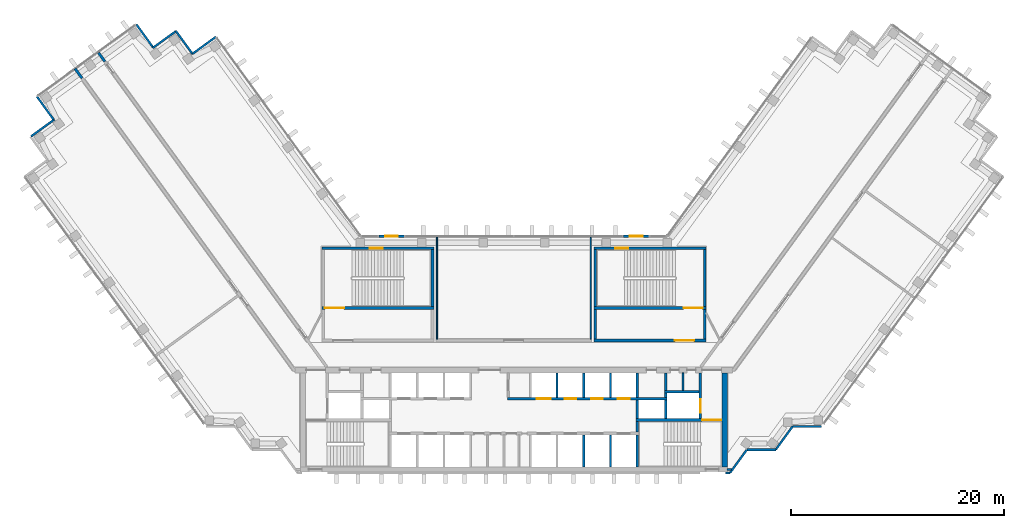
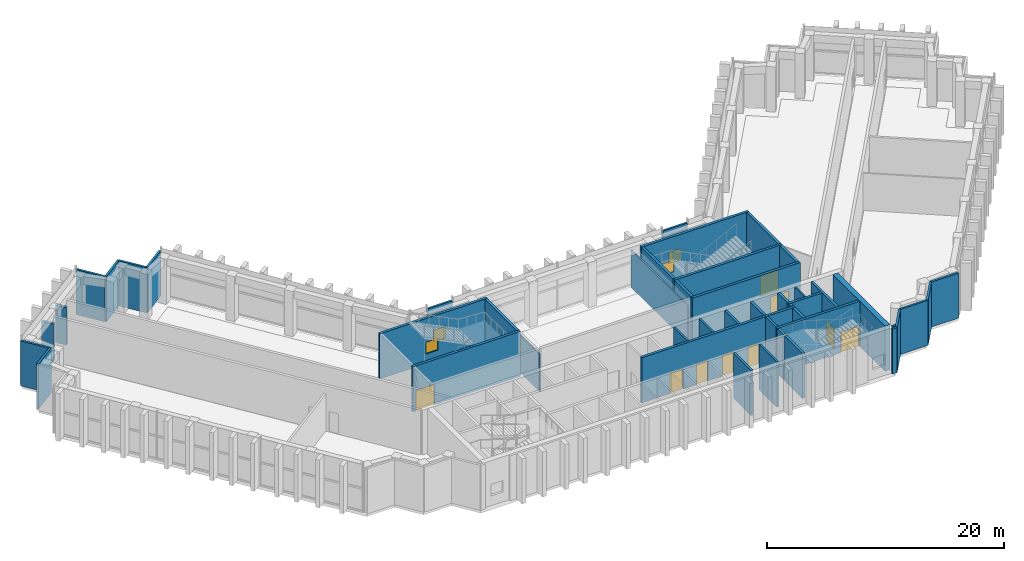
# One storey, part 10 of 14: 46 walls, 9 doors, 4 windows, 13 openings.
"""IFC4 building model written with IfcOpenShell, lengths in metres."""

from ifc_helpers import new_model, si_unit, direction, frame, frame_2d, origin, place, context, subcontext, project, spatial, rectangle, extrude, material, layer, layer_set, type_object, element, fill, save


model = new_model("IFC4")

# Units and contexts
model_context = context("Model", 3, precision=1e-05, world=origin(), true_north=direction((0.0, 1.0)))
body_context = subcontext(model_context, "Body", "Model", "MODEL_VIEW")
ifc_project = project(units=[si_unit("LENGTHUNIT", "METRE"), si_unit("AREAUNIT", "SQUARE_METRE"), si_unit("VOLUMEUNIT", "CUBIC_METRE"), si_unit("PLANEANGLEUNIT", "RADIAN"), si_unit("MASSUNIT", "GRAM", prefix="KILO")], contexts=[model_context])

# Site, building, storey
site_placement = place(None, origin())
site = spatial("IfcSite", under=ifc_project, at=site_placement, CompositionType="ELEMENT")
building_placement = place(site_placement, origin())
building = spatial("IfcBuilding", under=site, at=building_placement, Name="Quipu Civic Tower", CompositionType="ELEMENT")
storey_placement = place(building_placement, frame((0.0, 0.0, 139.0)))
storey = spatial("IfcBuildingStorey", under=building, at=storey_placement, Name="L32", CompositionType="ELEMENT", Elevation=139.0)

# Walls
ifc_material_1 = material(Name="Concrete C70/85", Category="concrete")
ifc_layer_1 = layer(ifc_material_1, 0.25)
ifc_layer_set_1 = layer_set([ifc_layer_1], Name="Concrete C70/85")
wall_type_1 = type_object("IfcWallType", Name="Core wall 250", PredefinedType="SHEAR", material=ifc_layer_set_1)
wall_1_placement = place(storey_placement, frame((11.574951171875, -10.5, 0.0), z_axis=(0.0, 0.0, 1.0), x_axis=(0.0, 1.0, 0.0)))
element("IfcWall", 1, at=wall_1_placement, inside=storey, type_object=wall_type_1, Name="Core wall", PredefinedType="SHEAR", context=body_context, shape_type="SweptSolid", body=[
    extrude(rectangle(XDim=3.0, YDim=0.25, at=frame_2d((1.5, 0.0))), origin(), (0.0, 0.0, 1.0), 4.64990234375),
])
wall_2_placement = place(storey_placement, frame((11.574951171875, -7.25, 0.0), z_axis=(0.0, 0.0, 1.0), x_axis=(0.0, 1.0, 0.0)))
element("IfcWall", 2, at=wall_2_placement, inside=storey, type_object=wall_type_1, Name="Core wall", PredefinedType="SHEAR", context=body_context, shape_type="SweptSolid", body=[
    extrude(rectangle(XDim=1.0, YDim=0.25, at=frame_2d((0.5, 0.0))), origin(), (0.0, 0.0, 1.0), 4.64990234375),
])

# Wall, opening, door
wall_3_placement = place(storey_placement, frame((19.5, -6.125, 0.0), z_axis=(0.0, 0.0, 1.0), x_axis=(-1.0, 0.0, 0.0)))
wall_3 = element("IfcWall", 3, at=wall_3_placement, inside=storey, type_object=wall_type_1, Name="Core wall", PredefinedType="SHEAR", context=body_context, shape_type="SweptSolid", body=[
    extrude(rectangle(XDim=8.050048828125, YDim=0.25, at=frame_2d((4.02490234375, 0.0))), origin(), (0.0, 0.0, 1.0), 4.64990234375),
])
opening_1_placement = place(wall_3_placement, frame((0.050048828125, 0.0, 0.0)))
opening_1 = element("IfcOpeningElement", 4, at=opening_1_placement, cuts=wall_3, Name="Opening CD-06", PredefinedType="OPENING", context=body_context, shape_type="SweptSolid", body=[
    extrude(rectangle(XDim=1.800048828125, YDim=2.10009765625, at=frame_2d((0.89990234375, 1.050048828125))), frame((0.0, 0.135009765625, 0.0), z_axis=(0.0, -1.0, 0.0), x_axis=(1.0, 0.0, 0.0)), (0.0, 0.0, 1.0), 0.27001953125),
])
ifc_material_2 = material(Name="Fire rated steel door", Category="steel")
door_type_1 = type_object("IfcDoorType", Name="Fire door FD90 double 1800 x 2100", OperationType="NOTDEFINED", PredefinedType="DOOR", material=ifc_material_2)
door_1_placement = place(opening_1_placement, origin())
door_1 = element("IfcDoor", 5, at=door_1_placement, inside=storey, type_object=door_type_1, Name="Door", OperationType="DOUBLE_DOOR_SINGLE_SWING", OverallHeight=2.10009765625, OverallWidth=1.800048828125, PredefinedType="DOOR", context=body_context, shape_type="SweptSolid", body=[
    extrude(rectangle(XDim=1.800048828125, YDim=2.10009765625, at=frame_2d((0.89990234375, 1.050048828125))), frame((0.0, 0.02490234375, 0.0), z_axis=(0.0, -1.0, 0.0), x_axis=(1.0, 0.0, 0.0)), (0.0, 0.0, 1.0), 0.050048828125),
])
fill(opening_1, door_1)

# Walls
for number, where, z_axis, x_axis, name in (
    (6, (11.574951171875, -6.0, 0.0), (0.0, 0.0, 1.0), (0.0, 1.0, 0.0), "Core wall"),
    (7, (14.22509765625, -6.0, 0.0), (0.0, 0.0, 1.0), (0.0, 1.0, 0.0), "Core wall"),
):
    element("IfcWall", number, at=place(storey_placement, frame(where, z_axis=z_axis, x_axis=x_axis)), inside=storey, type_object=wall_type_1, Name=name, PredefinedType="SHEAR", context=body_context, shape_type="SweptSolid", body=[
        extrude(rectangle(XDim=1.75, YDim=0.25, at=frame_2d((0.875, 0.0))), origin(), (0.0, 0.0, 1.0), 4.64990234375),
    ])

# Wall, opening, door
wall_4_placement = place(storey_placement, frame((17.47509765625, -6.0, 0.0), z_axis=(0.0, 0.0, 1.0), x_axis=(0.0, 1.0, 0.0)))
wall_4 = element("IfcWall", 8, at=wall_4_placement, inside=storey, type_object=wall_type_1, Name="Core wall", PredefinedType="SHEAR", context=body_context, shape_type="SweptSolid", body=[
    extrude(rectangle(XDim=4.300048828125, YDim=0.25, at=frame_2d((2.14990234375, 0.0))), origin(), (0.0, 0.0, 1.0), 4.64990234375),
])
opening_2_placement = place(wall_4_placement, frame((0.550048828125, 0.0, 0.0)))
opening_2 = element("IfcOpeningElement", 9, at=opening_2_placement, cuts=wall_4, Name="Opening LD-FF2", PredefinedType="OPENING", context=body_context, shape_type="SweptSolid", body=[
    extrude(rectangle(XDim=1.300048828125, YDim=2.10009765625, at=frame_2d((0.64990234375, 1.050048828125))), frame((0.0, 0.135009765625, 0.0), z_axis=(0.0, -1.0, 0.0), x_axis=(1.0, 0.0, 0.0)), (0.0, 0.0, 1.0), 0.27001953125),
])
ifc_material_3 = material(Name="Stainless steel", Category="steel")
door_type_2 = type_object("IfcDoorType", Name="Lift landing door 1300 x 2100", OperationType="DOUBLE_DOOR_SLIDING", PredefinedType="DOOR", material=ifc_material_3)
door_2_placement = place(opening_2_placement, origin())
door_2 = element("IfcDoor", 10, at=door_2_placement, inside=storey, type_object=door_type_2, Name="Landing door FF2", OperationType="DOUBLE_DOOR_SLIDING", OverallHeight=2.10009765625, OverallWidth=1.300048828125, PredefinedType="DOOR", context=body_context, shape_type="SweptSolid", body=[
    extrude(rectangle(XDim=1.300048828125, YDim=2.10009765625, at=frame_2d((0.64990234375, 1.050048828125))), frame((0.0, 0.02490234375, 0.0), z_axis=(0.0, -1.0, 0.0), x_axis=(1.0, 0.0, 0.0)), (0.0, 0.0, 1.0), 0.050048828125),
])
fill(opening_2, door_2)

# Wall, openings, doors
wall_5_placement = place(storey_placement, frame((-0.60009765625, -4.125, 0.0), z_axis=(0.0, 0.0, 1.0), x_axis=(1.0, 0.0, 0.0)))
wall_5 = element("IfcWall", 11, at=wall_5_placement, inside=storey, type_object=wall_type_1, Name="Core wall", PredefinedType="SHEAR", context=body_context, shape_type="SweptSolid", body=[
    extrude(rectangle(XDim=14.9501953125, YDim=0.25, at=frame_2d((7.47509765625, 0.0))), origin(), (0.0, 0.0, 1.0), 4.64990234375),
])
opening_3_placement = place(wall_5_placement, frame((2.75, 0.0, 0.0)))
opening_3 = element("IfcOpeningElement", 12, at=opening_3_placement, cuts=wall_5, Name="Opening LD-FF3", PredefinedType="OPENING", context=body_context, shape_type="SweptSolid", body=[
    extrude(rectangle(XDim=1.300048828125, YDim=2.10009765625, at=frame_2d((0.64990234375, 1.050048828125))), frame((0.0, 0.135009765625, 0.0), z_axis=(0.0, -1.0, 0.0), x_axis=(1.0, 0.0, 0.0)), (0.0, 0.0, 1.0), 0.27001953125),
])
opening_4_placement = place(wall_5_placement, frame((5.35009765625, 0.0, 0.0)))
opening_4 = element("IfcOpeningElement", 13, at=opening_4_placement, cuts=wall_5, Name="Opening LD-ML5", PredefinedType="OPENING", context=body_context, shape_type="SweptSolid", body=[
    extrude(rectangle(XDim=1.10009765625, YDim=2.10009765625, at=frame_2d((0.550048828125, 1.050048828125))), frame((0.0, 0.135009765625, 0.0), z_axis=(0.0, -1.0, 0.0), x_axis=(1.0, 0.0, 0.0)), (0.0, 0.0, 1.0), 0.27001953125),
])
opening_5_placement = place(wall_5_placement, frame((7.85009765625, 0.0, 0.0)))
opening_5 = element("IfcOpeningElement", 14, at=opening_5_placement, cuts=wall_5, Name="Opening LD-ML6", PredefinedType="OPENING", context=body_context, shape_type="SweptSolid", body=[
    extrude(rectangle(XDim=1.10009765625, YDim=2.10009765625, at=frame_2d((0.550048828125, 1.050048828125))), frame((0.0, 0.135009765625, 0.0), z_axis=(0.0, -1.0, 0.0), x_axis=(1.0, 0.0, 0.0)), (0.0, 0.0, 1.0), 0.27001953125),
])
opening_6_placement = place(wall_5_placement, frame((10.35009765625, 0.0, 0.0)))
opening_6 = element("IfcOpeningElement", 15, at=opening_6_placement, cuts=wall_5, Name="Opening LD-ML7", PredefinedType="OPENING", context=body_context, shape_type="SweptSolid", body=[
    extrude(rectangle(XDim=1.10009765625, YDim=2.10009765625, at=frame_2d((0.550048828125, 1.050048828125))), frame((0.0, 0.135009765625, 0.0), z_axis=(0.0, -1.0, 0.0), x_axis=(1.0, 0.0, 0.0)), (0.0, 0.0, 1.0), 0.27001953125),
])
ifc_material_4 = material(Name="Stainless steel", Category="steel")
door_type_3 = type_object("IfcDoorType", Name="Lift landing door 1100 x 2100", OperationType="DOUBLE_DOOR_SLIDING", PredefinedType="DOOR", material=ifc_material_4)
door_3_placement = place(opening_4_placement, origin())
door_3 = element("IfcDoor", 16, at=door_3_placement, inside=storey, type_object=door_type_3, Name="Landing door ML5", OperationType="DOUBLE_DOOR_SLIDING", OverallHeight=2.10009765625, OverallWidth=1.10009765625, PredefinedType="DOOR", context=body_context, shape_type="SweptSolid", body=[
    extrude(rectangle(XDim=1.10009765625, YDim=2.10009765625, at=frame_2d((0.550048828125, 1.050048828125))), frame((0.0, 0.02490234375, 0.0), z_axis=(0.0, -1.0, 0.0), x_axis=(1.0, 0.0, 0.0)), (0.0, 0.0, 1.0), 0.050048828125),
])
fill(opening_4, door_3)
door_4_placement = place(opening_5_placement, origin())
door_4 = element("IfcDoor", 17, at=door_4_placement, inside=storey, type_object=door_type_3, Name="Landing door ML6", OperationType="DOUBLE_DOOR_SLIDING", OverallHeight=2.10009765625, OverallWidth=1.10009765625, PredefinedType="DOOR", context=body_context, shape_type="SweptSolid", body=[
    extrude(rectangle(XDim=1.10009765625, YDim=2.10009765625, at=frame_2d((0.550048828125, 1.050048828125))), frame((0.0, 0.02490234375, 0.0), z_axis=(0.0, -1.0, 0.0), x_axis=(1.0, 0.0, 0.0)), (0.0, 0.0, 1.0), 0.050048828125),
])
fill(opening_5, door_4)
door_5_placement = place(opening_6_placement, origin())
door_5 = element("IfcDoor", 18, at=door_5_placement, inside=storey, type_object=door_type_3, Name="Landing door ML7", OperationType="DOUBLE_DOOR_SLIDING", OverallHeight=2.10009765625, OverallWidth=1.10009765625, PredefinedType="DOOR", context=body_context, shape_type="SweptSolid", body=[
    extrude(rectangle(XDim=1.10009765625, YDim=2.10009765625, at=frame_2d((0.550048828125, 1.050048828125))), frame((0.0, 0.02490234375, 0.0), z_axis=(0.0, -1.0, 0.0), x_axis=(1.0, 0.0, 0.0)), (0.0, 0.0, 1.0), 0.050048828125),
])
fill(opening_6, door_5)
door_6_placement = place(opening_3_placement, origin())
door_6 = element("IfcDoor", 19, at=door_6_placement, inside=storey, type_object=door_type_2, Name="Landing door FF3", OperationType="DOUBLE_DOOR_SLIDING", OverallHeight=2.10009765625, OverallWidth=1.300048828125, PredefinedType="DOOR", context=body_context, shape_type="SweptSolid", body=[
    extrude(rectangle(XDim=1.300048828125, YDim=2.10009765625, at=frame_2d((0.64990234375, 1.050048828125))), frame((0.0, 0.02490234375, 0.0), z_axis=(0.0, -1.0, 0.0), x_axis=(1.0, 0.0, 0.0)), (0.0, 0.0, 1.0), 0.050048828125),
])
fill(opening_3, door_6)

# Walls
wall_6_placement = place(storey_placement, frame((11.574951171875, -4.0, 0.0), z_axis=(0.0, 0.0, 1.0), x_axis=(0.0, 1.0, 0.0)))
element("IfcWall", 20, at=wall_6_placement, inside=storey, type_object=wall_type_1, Name="Core wall", PredefinedType="SHEAR", context=body_context, shape_type="SweptSolid", body=[
    extrude(rectangle(XDim=2.300048828125, YDim=0.25, at=frame_2d((1.14990234375, 0.0))), origin(), (0.0, 0.0, 1.0), 4.64990234375),
])
wall_7_placement = place(storey_placement, frame((14.22509765625, -4.0, 0.0), z_axis=(0.0, 0.0, 1.0), x_axis=(0.0, 1.0, 0.0)))
element("IfcWall", 21, at=wall_7_placement, inside=storey, type_object=wall_type_1, Name="Core wall", PredefinedType="SHEAR", context=body_context, shape_type="SweptSolid", body=[
    extrude(rectangle(XDim=0.39990234375, YDim=0.25, at=frame_2d((0.199951171875, 0.0))), origin(), (0.0, 0.0, 1.0), 4.64990234375),
])
wall_8_placement = place(storey_placement, frame((14.10009765625, -3.47509765625, 0.0), z_axis=(0.0, 0.0, 1.0), x_axis=(1.0, 0.0, 0.0)))
element("IfcWall", 22, at=wall_8_placement, inside=storey, type_object=wall_type_1, Name="Core wall", PredefinedType="SHEAR", context=body_context, shape_type="SweptSolid", body=[
    extrude(rectangle(XDim=3.25, YDim=0.25, at=frame_2d((1.625, 0.0))), origin(), (0.0, 0.0, 1.0), 4.64990234375),
])
wall_9_placement = place(storey_placement, frame((14.22509765625, -3.35009765625, 0.0), z_axis=(0.0, 0.0, 1.0), x_axis=(0.0, 1.0, 0.0)))
element("IfcWall", 23, at=wall_9_placement, inside=storey, type_object=wall_type_1, Name="Core wall", PredefinedType="SHEAR", context=body_context, shape_type="SweptSolid", body=[
    extrude(rectangle(XDim=1.650146484375, YDim=0.25, at=frame_2d((0.8251953125, 0.0))), origin(), (0.0, 0.0, 1.0), 4.64990234375),
])

# Wall, opening, door
wall_10_placement = place(storey_placement, frame((-18.0, 4.375, 0.0), z_axis=(0.0, 0.0, 1.0), x_axis=(1.0, 0.0, 0.0)))
wall_10 = element("IfcWall", 24, at=wall_10_placement, inside=storey, type_object=wall_type_1, Name="Core wall", PredefinedType="SHEAR", context=body_context, shape_type="SweptSolid", body=[
    extrude(rectangle(XDim=10.5, YDim=0.25, at=frame_2d((5.25, 0.0))), origin(), (0.0, 0.0, 1.0), 4.64990234375),
])
opening_7_placement = place(wall_10_placement, frame((0.300048828125, 0.0, 0.0)))
opening_7 = element("IfcOpeningElement", 25, at=opening_7_placement, cuts=wall_10, Name="Opening CD-17", PredefinedType="OPENING", context=body_context, shape_type="SweptSolid", body=[
    extrude(rectangle(XDim=1.800048828125, YDim=2.10009765625, at=frame_2d((0.89990234375, 1.050048828125))), frame((0.0, 0.135009765625, 0.0), z_axis=(0.0, -1.0, 0.0), x_axis=(1.0, 0.0, 0.0)), (0.0, 0.0, 1.0), 0.27001953125),
])
door_7_placement = place(opening_7_placement, origin())
door_7 = element("IfcDoor", 26, at=door_7_placement, inside=storey, type_object=door_type_1, Name="Door", OperationType="DOUBLE_DOOR_SINGLE_SWING", OverallHeight=2.10009765625, OverallWidth=1.800048828125, PredefinedType="DOOR", context=body_context, shape_type="SweptSolid", body=[
    extrude(rectangle(XDim=1.800048828125, YDim=2.10009765625, at=frame_2d((0.89990234375, 1.050048828125))), frame((0.0, 0.02490234375, 0.0), z_axis=(0.0, -1.0, 0.0), x_axis=(1.0, 0.0, 0.0)), (0.0, 0.0, 1.0), 0.050048828125),
])
fill(opening_7, door_7)

# Wall
wall_11_placement = place(storey_placement, frame((-7.625, 4.5, 0.0), z_axis=(0.0, 0.0, 1.0), x_axis=(0.0, 1.0, 0.0)))
element("IfcWall", 27, at=wall_11_placement, inside=storey, type_object=wall_type_1, Name="Core wall", PredefinedType="SHEAR", context=body_context, shape_type="SweptSolid", body=[
    extrude(rectangle(XDim=5.35009765625, YDim=0.25, at=frame_2d((2.675048828125, 0.0))), origin(), (0.0, 0.0, 1.0), 4.64990234375),
])

# Wall, opening, window
wall_12_placement = place(storey_placement, frame((-18.0, 9.97509765625, 0.0), z_axis=(0.0, 0.0, 1.0), x_axis=(1.0, 0.0, 0.0)))
wall_12 = element("IfcWall", 28, at=wall_12_placement, inside=storey, type_object=wall_type_1, Name="Core wall", PredefinedType="SHEAR", context=body_context, shape_type="SweptSolid", body=[
    extrude(rectangle(XDim=10.5, YDim=0.25, at=frame_2d((5.25, 0.0))), origin(), (0.0, 0.0, 1.0), 4.64990234375),
])
opening_8_placement = place(wall_12_placement, frame((4.5, 0.0, 1.0)))
opening_8 = element("IfcOpeningElement", 29, at=opening_8_placement, cuts=wall_12, Name="Opening SV-3", PredefinedType="OPENING", context=body_context, shape_type="SweptSolid", body=[
    extrude(rectangle(XDim=1.199951171875, YDim=1.199951171875, at=frame_2d((0.60009765625, 0.60009765625))), frame((0.0, 0.135009765625, 0.0), z_axis=(0.0, -1.0, 0.0), x_axis=(1.0, 0.0, 0.0)), (0.0, 0.0, 1.0), 0.27001953125),
])
ifc_material_5 = material(Name="Aluminium louvre", Category="aluminium")
window_type_1 = type_object("IfcWindowType", Name="Stair ventilation louvre 1200 x 1200", PartitioningType="SINGLE_PANEL", PredefinedType="WINDOW", material=ifc_material_5)
window_1_placement = place(opening_8_placement, origin())
window_1 = element("IfcWindow", 30, at=window_1_placement, inside=storey, type_object=window_type_1, Name="Stair ventilation opening", OverallHeight=1.199951171875, OverallWidth=1.199951171875, PartitioningType="SINGLE_PANEL", PredefinedType="WINDOW", context=body_context, shape_type="SweptSolid", body=[
    extrude(rectangle(XDim=1.199951171875, YDim=1.199951171875, at=frame_2d((0.60009765625, 0.60009765625))), frame((0.0, 0.030029296875, 0.0), z_axis=(0.0, -1.0, 0.0), x_axis=(1.0, 0.0, 0.0)), (0.0, 0.0, 1.0), 0.06005859375),
])
fill(opening_8, window_1)

# Wall, opening, door
wall_13_placement = place(storey_placement, frame((7.5, 1.324951171875, 0.0), z_axis=(0.0, 0.0, 1.0), x_axis=(1.0, 0.0, 0.0)))
wall_13 = element("IfcWall", 31, at=wall_13_placement, inside=storey, type_object=wall_type_1, Name="Core wall", PredefinedType="SHEAR", context=body_context, shape_type="SweptSolid", body=[
    extrude(rectangle(XDim=10.5, YDim=0.25, at=frame_2d((5.25, 0.0))), origin(), (0.0, 0.0, 1.0), 4.64990234375),
])
opening_9_placement = place(wall_13_placement, frame((7.60009765625, 0.0, 0.0)))
opening_9 = element("IfcOpeningElement", 32, at=opening_9_placement, cuts=wall_13, Name="Opening CD-18", PredefinedType="OPENING", context=body_context, shape_type="SweptSolid", body=[
    extrude(rectangle(XDim=1.800048828125, YDim=2.10009765625, at=frame_2d((0.89990234375, 1.050048828125))), frame((0.0, 0.135009765625, 0.0), z_axis=(0.0, -1.0, 0.0), x_axis=(1.0, 0.0, 0.0)), (0.0, 0.0, 1.0), 0.27001953125),
])
door_8_placement = place(opening_9_placement, origin())
door_8 = element("IfcDoor", 33, at=door_8_placement, inside=storey, type_object=door_type_1, Name="Lobby door", OperationType="DOUBLE_DOOR_SINGLE_SWING", OverallHeight=2.10009765625, OverallWidth=1.800048828125, PredefinedType="DOOR", context=body_context, shape_type="SweptSolid", body=[
    extrude(rectangle(XDim=1.800048828125, YDim=2.10009765625, at=frame_2d((0.89990234375, 1.050048828125))), frame((0.0, 0.02490234375, 0.0), z_axis=(0.0, -1.0, 0.0), x_axis=(1.0, 0.0, 0.0)), (0.0, 0.0, 1.0), 0.050048828125),
])
fill(opening_9, door_8)

# Walls
for number, where, z_axis, x_axis, name in (
    (34, (7.625, 1.449951171875, 0.0), (0.0, 0.0, 1.0), (0.0, 1.0, 0.0), "Core wall"),
    (35, (17.875, 1.449951171875, 0.0), (0.0, 0.0, 1.0), (0.0, 1.0, 0.0), "Core wall"),
):
    element("IfcWall", number, at=place(storey_placement, frame(where, z_axis=z_axis, x_axis=x_axis)), inside=storey, type_object=wall_type_1, Name=name, PredefinedType="SHEAR", context=body_context, shape_type="SweptSolid", body=[
        extrude(rectangle(XDim=2.800048828125, YDim=0.25, at=frame_2d((1.39990234375, 0.0))), origin(), (0.0, 0.0, 1.0), 4.64990234375),
    ])

# Wall, opening, door
wall_14_placement = place(storey_placement, frame((7.5, 4.375, 0.0), z_axis=(0.0, 0.0, 1.0), x_axis=(1.0, 0.0, 0.0)))
wall_14 = element("IfcWall", 36, at=wall_14_placement, inside=storey, type_object=wall_type_1, Name="Core wall", PredefinedType="SHEAR", context=body_context, shape_type="SweptSolid", body=[
    extrude(rectangle(XDim=10.5, YDim=0.25, at=frame_2d((5.25, 0.0))), origin(), (0.0, 0.0, 1.0), 4.64990234375),
])
opening_10_placement = place(wall_14_placement, frame((8.39990234375, 0.0, 0.0)))
opening_10 = element("IfcOpeningElement", 37, at=opening_10_placement, cuts=wall_14, Name="Opening CD-19", PredefinedType="OPENING", context=body_context, shape_type="SweptSolid", body=[
    extrude(rectangle(XDim=1.800048828125, YDim=2.10009765625, at=frame_2d((0.89990234375, 1.050048828125))), frame((0.0, 0.135009765625, 0.0), z_axis=(0.0, -1.0, 0.0), x_axis=(1.0, 0.0, 0.0)), (0.0, 0.0, 1.0), 0.27001953125),
])
door_9_placement = place(opening_10_placement, origin())
door_9 = element("IfcDoor", 38, at=door_9_placement, inside=storey, type_object=door_type_1, Name="Door", OperationType="DOUBLE_DOOR_SINGLE_SWING", OverallHeight=2.10009765625, OverallWidth=1.800048828125, PredefinedType="DOOR", context=body_context, shape_type="SweptSolid", body=[
    extrude(rectangle(XDim=1.800048828125, YDim=2.10009765625, at=frame_2d((0.89990234375, 1.050048828125))), frame((0.0, 0.02490234375, 0.0), z_axis=(0.0, -1.0, 0.0), x_axis=(1.0, 0.0, 0.0)), (0.0, 0.0, 1.0), 0.050048828125),
])
fill(opening_10, door_9)

# Walls
for number, where, z_axis, x_axis, name in (
    (39, (7.625, 4.5, 0.0), (0.0, 0.0, 1.0), (0.0, 1.0, 0.0), "Core wall"),
    (40, (17.875, 4.5, 0.0), (0.0, 0.0, 1.0), (0.0, 1.0, 0.0), "Core wall"),
):
    element("IfcWall", number, at=place(storey_placement, frame(where, z_axis=z_axis, x_axis=x_axis)), inside=storey, type_object=wall_type_1, Name=name, PredefinedType="SHEAR", context=body_context, shape_type="SweptSolid", body=[
        extrude(rectangle(XDim=5.35009765625, YDim=0.25, at=frame_2d((2.675048828125, 0.0))), origin(), (0.0, 0.0, 1.0), 4.64990234375),
    ])

# Wall, opening, window
wall_15_placement = place(storey_placement, frame((7.5, 9.97509765625, 0.0), z_axis=(0.0, 0.0, 1.0), x_axis=(1.0, 0.0, 0.0)))
wall_15 = element("IfcWall", 41, at=wall_15_placement, inside=storey, type_object=wall_type_1, Name="Core wall", PredefinedType="SHEAR", context=body_context, shape_type="SweptSolid", body=[
    extrude(rectangle(XDim=10.5, YDim=0.25, at=frame_2d((5.25, 0.0))), origin(), (0.0, 0.0, 1.0), 4.64990234375),
])
opening_11_placement = place(wall_15_placement, frame((2.0, 0.0, 1.0)))
opening_11 = element("IfcOpeningElement", 42, at=opening_11_placement, cuts=wall_15, Name="Opening SV-4", PredefinedType="OPENING", context=body_context, shape_type="SweptSolid", body=[
    extrude(rectangle(XDim=1.199951171875, YDim=1.199951171875, at=frame_2d((0.60009765625, 0.60009765625))), frame((0.0, 0.135009765625, 0.0), z_axis=(0.0, -1.0, 0.0), x_axis=(1.0, 0.0, 0.0)), (0.0, 0.0, 1.0), 0.27001953125),
])
window_2_placement = place(opening_11_placement, origin())
window_2 = element("IfcWindow", 43, at=window_2_placement, inside=storey, type_object=window_type_1, Name="Stair ventilation opening", OverallHeight=1.199951171875, OverallWidth=1.199951171875, PartitioningType="SINGLE_PANEL", PredefinedType="WINDOW", context=body_context, shape_type="SweptSolid", body=[
    extrude(rectangle(XDim=1.199951171875, YDim=1.199951171875, at=frame_2d((0.60009765625, 0.60009765625))), frame((0.0, 0.030029296875, 0.0), z_axis=(0.0, -1.0, 0.0), x_axis=(1.0, 0.0, 0.0)), (0.0, 0.0, 1.0), 0.06005859375),
])
fill(opening_11, window_2)

# Walls
ifc_material_6 = material(Name="Concrete C70/85", Category="concrete")
ifc_layer_2 = layer(ifc_material_6, 0.5)
ifc_layer_set_2 = layer_set([ifc_layer_2], Name="Concrete C70/85")
wall_type_2 = type_object("IfcWallType", Name="Core wall 500", PredefinedType="SHEAR", material=ifc_layer_set_2)
wall_16_placement = place(storey_placement, frame((19.75, -10.5, 0.0), z_axis=(0.0, 0.0, 1.0), x_axis=(0.0, 1.0, 0.0)))
element("IfcWall", 44, at=wall_16_placement, inside=storey, type_object=wall_type_2, Name="Core wall", PredefinedType="SHEAR", context=body_context, shape_type="SweptSolid", body=[
    extrude(rectangle(XDim=8.800048828125, YDim=0.5, at=frame_2d((4.39990234375, 0.0))), origin(), (0.0, 0.0, 1.0), 4.64990234375),
])
ifc_material_7 = material(Name="Concrete C50/60", Category="concrete")
ifc_layer_3 = layer(ifc_material_7, 0.25)
ifc_layer_set_3 = layer_set([ifc_layer_3], Name="Concrete C50/60")
wall_type_3 = type_object("IfcWallType", Name="Corridor wall 250 concrete", PredefinedType="SOLIDWALL", material=ifc_layer_set_3)
wall_17_placement = place(storey_placement, frame((-40.46337890625, 25.911376953125, 0.0), z_axis=(0.0, 0.0, 1.0), x_axis=(-0.587792454268, 0.809011761785, 0.0)))
element("IfcWall", 45, at=wall_17_placement, inside=storey, type_object=wall_type_3, Name="Corridor wall C02", PredefinedType="SOLIDWALL", context=body_context, shape_type="SweptSolid", body=[
    extrude(rectangle(XDim=1.1103515625, YDim=0.25, at=frame_2d((0.55517578125, 0.0))), origin(), (0.0, 0.0, 1.0), 3.85009765625),
])
wall_18_placement = place(storey_placement, frame((-38.31982421875, 27.46923828125, 0.0), z_axis=(0.0, 0.0, 1.0), x_axis=(-0.587811913486, 0.808997623213, 0.0)))
element("IfcWall", 46, at=wall_18_placement, inside=storey, type_object=wall_type_3, Name="Corridor wall C03", PredefinedType="SOLIDWALL", context=body_context, shape_type="SweptSolid", body=[
    extrude(rectangle(XDim=1.0087890625, YDim=0.25, at=frame_2d((0.50439453125, 0.0))), origin(), (0.0, 0.0, 1.0), 3.85009765625),
])
ifc_material_8 = material(Name="Gypsum plasterboard on light gauge framing")
ifc_layer_4 = layer(ifc_material_8, 0.1201171875)
ifc_layer_set_4 = layer_set([ifc_layer_4], Name="Gypsum plasterboard on light gauge framing")
wall_type_4 = type_object("IfcWallType", Name="Partition 120 plasterboard", PredefinedType="PARTITIONING", material=ifc_layer_set_4)
for number, where, z_axis, x_axis, name in (
    (47, (7.197998046875, 1.449951171875, 0.0), (0.0, 0.0, 1.0), (0.0, 1.0, 0.0), "Partition P06"),
    (48, (-7.197998046875, 11.0, 0.0), (0.0, 0.0, 1.0), (0.0, -1.0, 0.0), "Partition P07"),
):
    element("IfcWall", number, at=place(storey_placement, frame(where, z_axis=z_axis, x_axis=x_axis)), inside=storey, type_object=wall_type_4, Name=name, PredefinedType="PARTITIONING", context=body_context, shape_type="SweptSolid", body=[
        extrude(rectangle(XDim=9.550048828125, YDim=0.1201171875, at=frame_2d((4.77490234375, 0.0))), origin(), (0.0, 0.0, 1.0), 3.85009765625),
    ])
ifc_material_9 = material(Name="Gypsum board partition")
ifc_layer_5 = layer(ifc_material_9, 0.14990234375)
ifc_layer_set_5 = layer_set([ifc_layer_5], Name="Gypsum board partition")
wall_type_5 = type_object("IfcWallType", Name="Partition 150", PredefinedType="PARTITIONING", material=ifc_layer_set_5)
wall_19_placement = place(storey_placement, frame((15.85009765625, -3.35009765625, 0.0), z_axis=(0.0, 0.0, 1.0), x_axis=(0.0, 1.0, 0.0)))
element("IfcWall", 49, at=wall_19_placement, inside=storey, type_object=wall_type_5, Name="Partition", PredefinedType="PARTITIONING", context=body_context, shape_type="SweptSolid", body=[
    extrude(rectangle(XDim=1.650146484375, YDim=0.14990234375, at=frame_2d((0.8251953125, 0.0))), origin(), (0.0, 0.0, 1.0), 4.64990234375),
])
ifc_material_10 = material(Name="Precast concrete C40/50", Category="concrete")
wall_type_6 = type_object("IfcWallType", Name="Precast cladding wall", PredefinedType="SOLIDWALL", material=ifc_material_10)
for number, where, z_axis, x_axis, name in (
    (50, (-27.92138671875, 29.787109375, 0.0), (0.0, 0.0, 1.0), (-0.809033161865, -0.587762999008, 0.0), "Precast cladding wall L32 2"),
    (51, (-30.08349609375, 28.149169921875, 0.0), (0.0, 0.0, 1.0), (-0.587762999008, 0.809033161865, 0.0), "Precast cladding wall L32 3"),
    (52, (-31.653564453125, 30.330810546875, 0.0), (0.0, 0.0, 1.0), (-0.809033161865, -0.587762999008, 0.0), "Precast cladding wall L32 4"),
    (53, (-33.80078125, 28.785888671875, 0.0), (0.0, 0.0, 1.0), (-0.587762999008, 0.809033161865, 0.0), "Precast cladding wall L32 5"),
    (54, (-44.699462890625, 24.20458984375, 0.0), (0.0, 0.0, 1.0), (0.587762999008, -0.809033161865, 0.0), "Precast cladding wall L32 7"),
    (55, (-43.060791015625, 22.04296875, 0.0), (0.0, 0.0, 1.0), (-0.809033161865, -0.587762999008, 0.0), "Precast cladding wall L32 8"),
):
    element("IfcWall", number, at=place(storey_placement, frame(where, z_axis=z_axis, x_axis=x_axis)), inside=storey, type_object=wall_type_6, Name=name, PredefinedType="SOLIDWALL", context=body_context, shape_type="SweptSolid", body=[
        extrude(rectangle(XDim=2.699951171875, YDim=0.199951171875, at=frame_2d((1.35009765625, 0.0))), origin(), (0.0, 0.0, 1.0), 4.64990234375),
    ])
wall_20_placement = place(storey_placement, frame((19.85009765625, -11.087890625, 0.0), z_axis=(0.0, 0.0, 1.0), x_axis=(1.0, 0.0, 0.0)))
element("IfcWall", 56, at=wall_20_placement, inside=storey, type_object=wall_type_6, Name="Precast cladding wall L32 18", PredefinedType="SOLIDWALL", context=body_context, shape_type="SweptSolid", body=[
    extrude(rectangle(XDim=0.40576171875, YDim=0.199951171875, at=frame_2d((0.202880859375, 0.0))), origin(), (0.0, 0.0, 1.0), 4.64990234375),
])
wall_21_placement = place(storey_placement, frame((20.253173828125, -11.083251953125, 0.0), z_axis=(0.0, 0.0, 1.0), x_axis=(0.587766567315, 0.809030569476, 0.0)))
element("IfcWall", 57, at=wall_21_placement, inside=storey, type_object=wall_type_6, Name="Precast cladding wall L32 19", PredefinedType="SOLIDWALL", context=body_context, shape_type="SweptSolid", body=[
    extrude(rectangle(XDim=2.687744140625, YDim=0.199951171875, at=frame_2d((1.34375, 0.0))), origin(), (0.0, 0.0, 1.0), 4.64990234375),
])
wall_22_placement = place(storey_placement, frame((21.8427734375, -8.90380859375, 0.0), z_axis=(0.0, 0.0, 1.0), x_axis=(1.0, 0.0, 0.0)))
element("IfcWall", 58, at=wall_22_placement, inside=storey, type_object=wall_type_6, Name="Precast cladding wall L32 20", PredefinedType="SOLIDWALL", context=body_context, shape_type="SweptSolid", body=[
    extrude(rectangle(XDim=2.699951171875, YDim=0.199951171875, at=frame_2d((1.35009765625, 0.0))), origin(), (0.0, 0.0, 1.0), 4.64990234375),
])
wall_23_placement = place(storey_placement, frame((24.533203125, -8.90869140625, 0.0), z_axis=(0.0, 0.0, 1.0), x_axis=(0.587720002413, 0.809064397168, 0.0)))
element("IfcWall", 59, at=wall_23_placement, inside=storey, type_object=wall_type_6, Name="Precast cladding wall L32 21", PredefinedType="SOLIDWALL", context=body_context, shape_type="SweptSolid", body=[
    extrude(rectangle(XDim=2.7001953125, YDim=0.199951171875, at=frame_2d((1.35009765625, 0.0))), origin(), (0.0, 0.0, 1.0), 4.64990234375),
])
wall_24_placement = place(storey_placement, frame((26.1298828125, -6.71923828125, 0.0), z_axis=(0.0, 0.0, 1.0), x_axis=(1.0, 0.0, 0.0)))
element("IfcWall", 60, at=wall_24_placement, inside=storey, type_object=wall_type_6, Name="Precast cladding wall L32 22", PredefinedType="SOLIDWALL", context=body_context, shape_type="SweptSolid", body=[
    extrude(rectangle(XDim=2.699951171875, YDim=0.199951171875, at=frame_2d((1.35009765625, 0.0))), origin(), (0.0, 0.0, 1.0), 4.64990234375),
])

# Wall, opening, window
wall_25_placement = place(storey_placement, frame((12.655029296875, 11.10009765625, 0.0), z_axis=(0.0, 0.0, 1.0), x_axis=(-1.0, 0.0, 0.0)))
wall_25 = element("IfcWall", 61, at=wall_25_placement, inside=storey, type_object=wall_type_6, Name="Vent surround SF-L32-2", PredefinedType="SOLIDWALL", context=body_context, shape_type="SweptSolid", body=[
    extrude(rectangle(XDim=2.3916015625, YDim=0.199951171875, at=frame_2d((1.19580078125, 0.0))), origin(), (0.0, 0.0, 1.0), 4.64990234375),
])
opening_12_placement = place(wall_25_placement, frame((0.595703125, 0.0, 1.0)))
opening_12 = element("IfcOpeningElement", 62, at=opening_12_placement, cuts=wall_25, Name="Opening SF-L32-2", PredefinedType="OPENING", context=body_context, shape_type="SweptSolid", body=[
    extrude(rectangle(XDim=1.199951171875, YDim=1.199951171875, at=frame_2d((0.60009765625, 0.60009765625))), frame((0.0, 0.10986328125, 0.0), z_axis=(0.0, -1.0, 0.0), x_axis=(1.0, 0.0, 0.0)), (0.0, 0.0, 1.0), 0.219970703125),
])
ifc_material_11 = material(Name="Anodised aluminium louvre", Category="aluminium")
window_type_2 = type_object("IfcWindowType", Name="Stair vent louvre window P3", PartitioningType="SINGLE_PANEL", PredefinedType="WINDOW", material=ifc_material_11)
window_3_placement = place(opening_12_placement, origin())
window_3 = element("IfcWindow", 63, at=window_3_placement, inside=storey, type_object=window_type_2, Name="Stair vent louvre SF-L32-2", OverallHeight=1.199951171875, OverallWidth=1.199951171875, PartitioningType="SINGLE_PANEL", PredefinedType="WINDOW", context=body_context, shape_type="SweptSolid", body=[
    extrude(rectangle(XDim=1.199951171875, YDim=1.199951171875, at=frame_2d((0.60009765625, 0.60009765625))), frame((0.0, 0.030029296875, 0.0), z_axis=(0.0, -1.0, 0.0), x_axis=(1.0, 0.0, 0.0)), (0.0, 0.0, 1.0), 0.06005859375),
])
fill(opening_12, window_3)

wall_26_placement = place(storey_placement, frame((-10.263427734375, 11.10009765625, 0.0), z_axis=(0.0, 0.0, 1.0), x_axis=(-1.0, 0.0, 0.0)))
wall_26 = element("IfcWall", 64, at=wall_26_placement, inside=storey, type_object=wall_type_6, Name="Vent surround SF-L32-1", PredefinedType="SOLIDWALL", context=body_context, shape_type="SweptSolid", body=[
    extrude(rectangle(XDim=2.3916015625, YDim=0.199951171875, at=frame_2d((1.19580078125, 0.0))), origin(), (0.0, 0.0, 1.0), 4.64990234375),
])
opening_13_placement = place(wall_26_placement, frame((0.595703125, 0.0, 1.0)))
opening_13 = element("IfcOpeningElement", 65, at=opening_13_placement, cuts=wall_26, Name="Opening SF-L32-1", PredefinedType="OPENING", context=body_context, shape_type="SweptSolid", body=[
    extrude(rectangle(XDim=1.199951171875, YDim=1.199951171875, at=frame_2d((0.60009765625, 0.60009765625))), frame((0.0, 0.10986328125, 0.0), z_axis=(0.0, -1.0, 0.0), x_axis=(1.0, 0.0, 0.0)), (0.0, 0.0, 1.0), 0.219970703125),
])
window_4_placement = place(opening_13_placement, origin())
window_4 = element("IfcWindow", 66, at=window_4_placement, inside=storey, type_object=window_type_2, Name="Stair vent louvre SF-L32-1", OverallHeight=1.199951171875, OverallWidth=1.199951171875, PartitioningType="SINGLE_PANEL", PredefinedType="WINDOW", context=body_context, shape_type="SweptSolid", body=[
    extrude(rectangle(XDim=1.199951171875, YDim=1.199951171875, at=frame_2d((0.60009765625, 0.60009765625))), frame((0.0, 0.030029296875, 0.0), z_axis=(0.0, -1.0, 0.0), x_axis=(1.0, 0.0, 0.0)), (0.0, 0.0, 1.0), 0.06005859375),
])
fill(opening_13, window_4)

# Walls
wall_27_placement = place(storey_placement, frame((19.97998046875, -10.75, 0.0), z_axis=(0.0, 0.0, 1.0), x_axis=(1.0, 0.0, 0.0)))
element("IfcWall", 67, at=wall_27_placement, inside=storey, type_object=wall_type_6, Name="Precast cladding return L32 E", PredefinedType="SOLIDWALL", context=body_context, shape_type="SweptSolid", body=[
    extrude(rectangle(XDim=0.41650390625, YDim=0.199951171875, at=frame_2d((0.208251953125, 0.0))), origin(), (0.0, 0.0, 1.0), 4.64990234375),
])
ifc_material_12 = material(Name="Concrete C40/50", Category="concrete")
ifc_layer_6 = layer(ifc_material_12, 0.199951171875)
ifc_layer_set_6 = layer_set([ifc_layer_6], Name="Concrete C40/50")
wall_type_7 = type_object("IfcWallType", Name="Shaft wall 200", PredefinedType="SOLIDWALL", material=ifc_layer_set_6)
for number, where, z_axis, x_axis, name in (
    (68, (6.550048828125, -10.5, 0.0), (0.0, 0.0, 1.0), (0.0, 1.0, 0.0), "Shaft wall"),
    (69, (9.050048828125, -10.5, 0.0), (0.0, 0.0, 1.0), (0.0, 1.0, 0.0), "Shaft wall"),
):
    element("IfcWall", number, at=place(storey_placement, frame(where, z_axis=z_axis, x_axis=x_axis)), inside=storey, type_object=wall_type_7, Name=name, PredefinedType="SOLIDWALL", context=body_context, shape_type="SweptSolid", body=[
        extrude(rectangle(XDim=3.0, YDim=0.199951171875, at=frame_2d((1.5, 0.0))), origin(), (0.0, 0.0, 1.0), 4.64990234375),
    ])
for number, where, z_axis, x_axis, name in (
    (70, (4.050048828125, -4.0, 0.0), (0.0, 0.0, 1.0), (0.0, 1.0, 0.0), "Shaft wall"),
    (71, (6.550048828125, -4.0, 0.0), (0.0, 0.0, 1.0), (0.0, 1.0, 0.0), "Shaft wall"),
    (72, (9.050048828125, -4.0, 0.0), (0.0, 0.0, 1.0), (0.0, 1.0, 0.0), "Shaft wall"),
):
    element("IfcWall", number, at=place(storey_placement, frame(where, z_axis=z_axis, x_axis=x_axis)), inside=storey, type_object=wall_type_7, Name=name, PredefinedType="SOLIDWALL", context=body_context, shape_type="SweptSolid", body=[
        extrude(rectangle(XDim=2.300048828125, YDim=0.199951171875, at=frame_2d((1.14990234375, 0.0))), origin(), (0.0, 0.0, 1.0), 4.64990234375),
    ])

save(model, "model.ifc")
